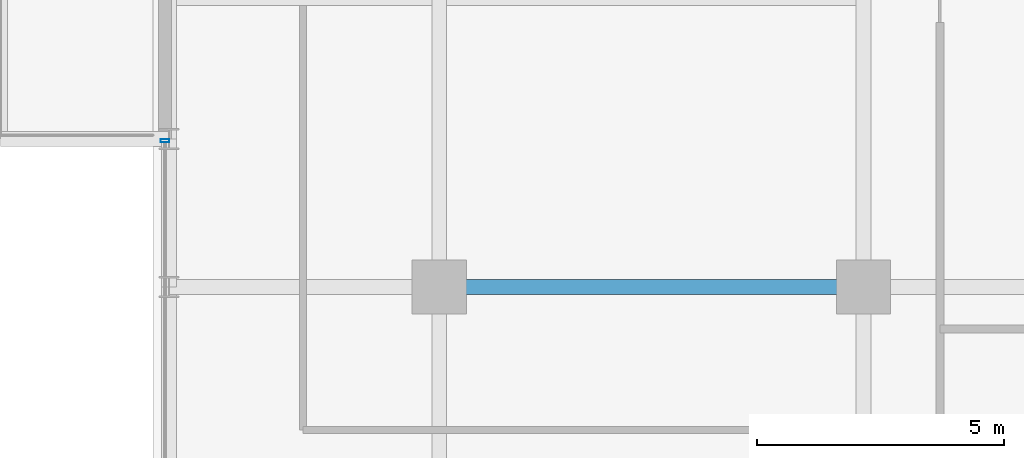
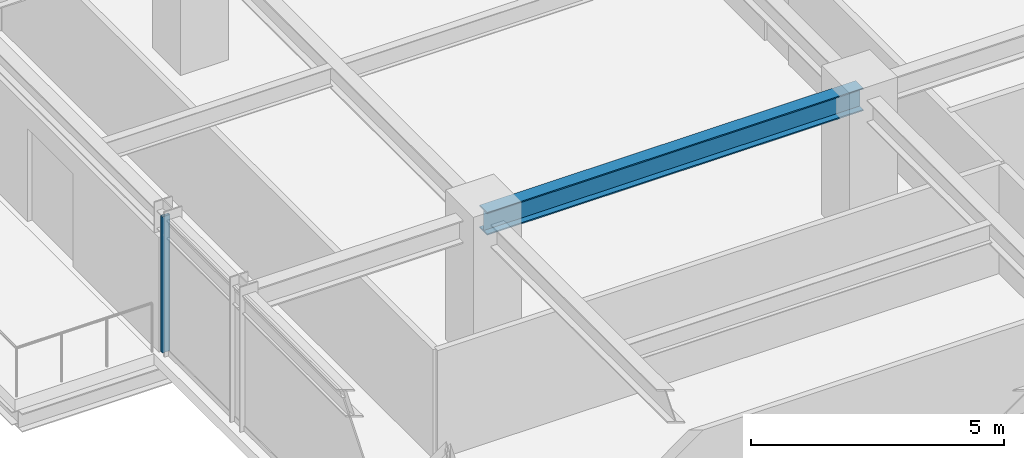
# One storey, part 8 of 32: 1 beam, 1 member, 1 element without a shape of its own.
"""IFC4 building model written with IfcOpenShell, lengths in metres."""

from ifc_helpers import new_model, si_unit, direction, frame, origin, origin_2d, place, context, subcontext, project, spatial, hollow_rectangle, i_section, extrude, source, transform, mapped, material, material_profile, profile_set, type_object, element, aggregate, save


model = new_model("IFC4")

# Units and contexts
model_context = context("Model", 3, precision=1e-05, world=origin(), true_north=direction((0.0, 1.0)))
body_context = subcontext(model_context, "Body", "Model", "MODEL_VIEW")
ifc_project = project(units=[si_unit("LENGTHUNIT", "METRE"), si_unit("AREAUNIT", "SQUARE_METRE"), si_unit("VOLUMEUNIT", "CUBIC_METRE"), si_unit("PLANEANGLEUNIT", "RADIAN"), si_unit("MASSUNIT", "GRAM", prefix="KILO")], contexts=[model_context])

# Site, building, storey
site_placement = place(None, origin())
site = spatial("IfcSite", under=ifc_project, at=site_placement, CompositionType="ELEMENT")
building_placement = place(site_placement, origin())
building = spatial("IfcBuilding", under=site, at=building_placement, Name="Nahalor Promenade Grand Hotel", CompositionType="ELEMENT")
storey_placement = place(building_placement, frame((0.0, 0.0, 196.449951171875)))
storey = spatial("IfcBuildingStorey", under=building, at=storey_placement, Name="L50", CompositionType="ELEMENT", Elevation=196.449951171875)

# Beam
ifc_material_1 = material(Name="Steel S355JR", Category="steel")
ifc_material_profile_1 = material_profile(ifc_material_1, i_section(OverallWidth=0.3, OverallDepth=0.55, WebThickness=0.015, FlangeThickness=0.029, at=origin_2d()), Name="HEB 550")
ifc_profile_set_1 = profile_set([ifc_material_profile_1], Name="Steel S355JR")
beam_type = type_object("IfcBeamType", Name="Beam-Girder-HEB550", PredefinedType="BEAM", material=ifc_profile_set_1)
shared_shape_1 = source(origin(), body_context, "Body", "SweptSolid", [
    extrude(i_section(OverallWidth=0.3, OverallDepth=0.55, WebThickness=0.015, FlangeThickness=0.029, at=origin_2d()), origin(), (0.0, 0.0, 1.0), 8.60009765625),
])
beam_placement = place(storey_placement, frame((-17.0, 5.39990234375, 3.01513671875), z_axis=(1.0, 0.0, 0.0), x_axis=(0.0, 1.0, 0.0)))
element("IfcBeam", 1, at=beam_placement, inside=storey, type_object=beam_type, Name="BM-L50-GX-2-1", PredefinedType="BEAM", context=body_context, shape_type="MappedRepresentation", body=[
    mapped(shared_shape_1, transform((0.0, 0.0, 0.0), scale=1.0)),
])

# Curtain wall, member
ifc_material_2 = material(Name="Anodised Bronze Aluminium EN AW-6063 T6", Category="aluminium")
curtain_wall_type = type_object("IfcCurtainWallType", Name="CW2 Typical Hotel Flush Bronze Unitised Curtain Wall", PredefinedType="USERDEFINED", material=ifc_material_2)
curtain_wall_placement = place(storey_placement, origin())
curtain_wall = element("IfcCurtainWall", 2, at=curtain_wall_placement, inside=storey, type_object=curtain_wall_type, Name="L50 Curtain Wall CW-L50-W-1", ObjectType="UNITISED_CURTAIN_WALL", PredefinedType="USERDEFINED")
ifc_material_profile_2 = material_profile(ifc_material_2, hollow_rectangle(XDim=0.065, YDim=0.18, WallThickness=0.004, at=origin_2d()), Name="CWM 65x180x4")
ifc_profile_set_2 = profile_set([ifc_material_profile_2], Name="Anodised Bronze Aluminium EN AW-6063 T6")
member_type = type_object("IfcMemberType", Name="CWM2 Typical Bronze Mullion 65x180", PredefinedType="MULLION", material=ifc_profile_set_2)
shared_shape_2 = source(origin(), body_context, "Body", "SweptSolid", [
    extrude(hollow_rectangle(XDim=0.065, YDim=0.18, WallThickness=0.004, at=origin_2d()), origin(), (0.0, 0.0, 1.0), 3.2900390625),
])
member_placement = place(storey_placement, frame((-22.56005859375, 8.367431640625, 0.0), z_axis=(0.0, 0.0, 1.0), x_axis=(0.0, 1.0, 0.0)))
member = element("IfcMember", 3, at=member_placement, type_object=member_type, Name="CW-L50-W-1 Mullion 2", PredefinedType="MULLION", context=body_context, shape_type="MappedRepresentation", body=[
    mapped(shared_shape_2, transform((0.0, 0.0, 0.0), scale=1.0)),
])
aggregate(curtain_wall, [member])

save(model, "model.ifc")
